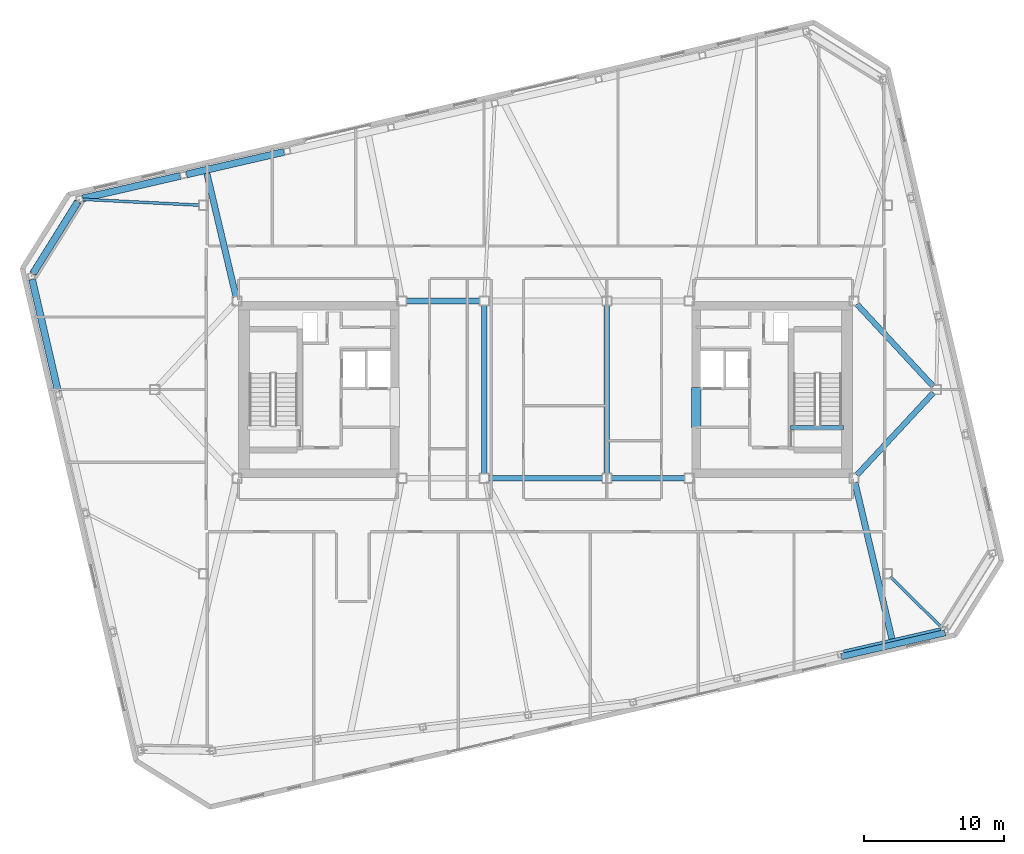
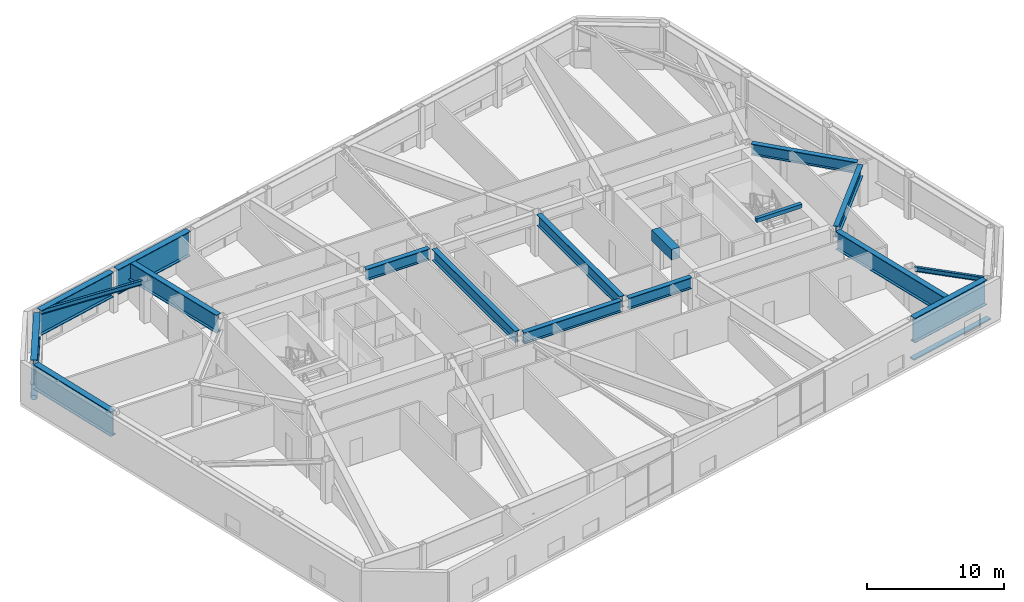
# One storey, part 11 of 23: 18 beams, 2 members.
"""IFC4 building model written with IfcOpenShell, lengths in metres."""

from ifc_helpers import new_model, si_unit, direction, frame, origin, origin_2d, place, context, subcontext, project, spatial, rectangle, hollow_circle, i_section, extrude, material, material_profile, profile_set, type_object, element, save


model = new_model("IFC4")

# Units and contexts
model_context = context("Model", 3, precision=1e-05, world=origin(), true_north=direction((0.0, 1.0)))
body_context = subcontext(model_context, "Body", "Model", "MODEL_VIEW")
ifc_project = project(units=[si_unit("LENGTHUNIT", "METRE"), si_unit("AREAUNIT", "SQUARE_METRE"), si_unit("VOLUMEUNIT", "CUBIC_METRE"), si_unit("PLANEANGLEUNIT", "RADIAN"), si_unit("MASSUNIT", "GRAM", prefix="KILO")], contexts=[model_context])

# Site, building, storey
site_placement = place(None, origin())
site = spatial("IfcSite", under=ifc_project, at=site_placement, CompositionType="ELEMENT")
building_placement = place(site_placement, origin())
building = spatial("IfcBuilding", under=site, at=building_placement, Name="Tavrogorsk Clinical Tower", CompositionType="ELEMENT")
storey_placement = place(building_placement, frame((0.0, 0.0, 329.0)))
storey = spatial("IfcBuildingStorey", under=building, at=storey_placement, Name="L77", CompositionType="ELEMENT", Elevation=329.0)

# Member
ifc_material_1 = material(Name="Anodised aluminium alloy AW-6063", Category="aluminium")
ifc_material_profile_1 = material_profile(ifc_material_1, rectangle(XDim=0.449951171875, YDim=0.1201171875, at=origin_2d()), Name="ALU-SUNSHADE-450x120")
ifc_profile_set_1 = profile_set([ifc_material_profile_1], Name="Anodised aluminium alloy AW-6063")
member_type_1 = type_object("IfcMemberType", Name="ChicagoSunshade_450x120", PredefinedType="USERDEFINED", material=ifc_profile_set_1)
member_1_placement = place(storey_placement, frame((21.1904296875, -19.1376953125, 0.179931640625), z_axis=(0.974372328168, 0.224941250331, 0.0), x_axis=(-0.224941250331, 0.974372328168, 0.0)))
element("IfcMember", 1, at=member_1_placement, inside=storey, type_object=member_type_1, Name="L77 South Aluminium Sunshade S7", ObjectType="SUNSHADE", PredefinedType="USERDEFINED", context=body_context, shape_type="SweptSolid", body=[
    extrude(rectangle(XDim=0.449951171875, YDim=0.1201171875, at=origin_2d()), origin(), (0.0, 0.0, 1.0), 7.63427734375),
])

# Beam
ifc_material_2 = material(Name="Concrete B80", Category="concrete")
ifc_material_profile_2 = material_profile(ifc_material_2, rectangle(XDim=0.699951171875, YDim=0.949951171875, at=origin_2d()), Name="RC-CB-700x950")
ifc_profile_set_2 = profile_set([ifc_material_profile_2], Name="Concrete B80")
beam_type_1 = type_object("IfcBeamType", Name="CouplingBeam_RC700x950", PredefinedType="LINTEL", material=ifc_profile_set_2)
beam_1_placement = place(storey_placement, frame((10.800048828125, -2.75, 3.205078125), z_axis=(0.0, 1.0, 0.0), x_axis=(-1.0, 0.0, 0.0)))
element("IfcBeam", 2, at=beam_1_placement, inside=storey, type_object=beam_type_1, Name="L77 Core East Coupling Beam", PredefinedType="LINTEL", context=body_context, shape_type="SweptSolid", body=[
    extrude(rectangle(XDim=0.699951171875, YDim=0.949951171875, at=origin_2d()), origin(), (0.0, 0.0, 1.0), 2.89990234375),
])

# Member
ifc_material_3 = material(Name="Structural steel S440", Category="steel")
ifc_material_profile_3 = material_profile(ifc_material_3, hollow_circle(Radius=0.25390625, WallThickness=0.02001953125, at=origin_2d()), Name="CHS-508x20")
ifc_profile_set_3 = profile_set([ifc_material_profile_3], Name="Structural steel S440")
member_type_2 = type_object("IfcMemberType", Name="ExoBrace_CHS508", PredefinedType="BRACE", material=ifc_profile_set_3)
member_2_placement = place(storey_placement, frame((-36.71435546875, 8.32275390625, 0.33984375), z_axis=(0.522114674455, 0.835526698637, 0.17114731252), x_axis=(-0.848039134155, 0.529933606164, 0.0)))
element("IfcMember", 3, at=member_2_placement, inside=storey, type_object=member_type_2, Name="L77 Corner Exoskeleton Brace N8-W1", PredefinedType="BRACE", context=body_context, shape_type="SweptSolid", body=[
    extrude(hollow_circle(Radius=0.25390625, WallThickness=0.02001953125, at=origin_2d()), origin(), (0.0, 0.0, 1.0), 6.13671875),
])

# Beams
ifc_material_4 = material(Name="Structural steel S355", Category="steel")
ifc_material_profile_4 = material_profile(ifc_material_4, i_section(OverallWidth=0.199951171875, OverallDepth=0.39990234375, WebThickness=0.010498046875, FlangeThickness=0.01611328125, at=origin_2d()), Name="B-400x200x10.5x16")
ifc_profile_set_4 = profile_set([ifc_material_profile_4], Name="Structural steel S355")
beam_type_2 = type_object("IfcBeamType", Name="FloorBeam_B400", PredefinedType="BEAM", material=ifc_profile_set_4)
beam_2_placement = place(storey_placement, frame((24.720458984375, -13.41796875, 3.47998046875), z_axis=(0.710870207436, -0.703323217433, 0.0), x_axis=(0.703323217433, 0.710870207436, 0.0)))
element("IfcBeam", 4, at=beam_2_placement, inside=storey, type_object=beam_type_2, Name="L77 Radial Floor Beam S8", PredefinedType="BEAM", context=body_context, shape_type="SweptSolid", body=[
    extrude(i_section(OverallWidth=0.199951171875, OverallDepth=0.39990234375, WebThickness=0.010498046875, FlangeThickness=0.01611328125, at=origin_2d()), origin(), (0.0, 0.0, 1.0), 5.208251953125),
])
beam_3_placement = place(storey_placement, frame((-24.8095703125, 13.215576171875, 3.47998046875), z_axis=(-0.998749933549, 0.049985700304, 0.0), x_axis=(-0.049985700304, -0.998749933549, 0.0)))
element("IfcBeam", 5, at=beam_3_placement, inside=storey, type_object=beam_type_2, Name="L77 Radial Floor Beam N8", PredefinedType="BEAM", context=body_context, shape_type="SweptSolid", body=[
    extrude(i_section(OverallWidth=0.199951171875, OverallDepth=0.39990234375, WebThickness=0.010498046875, FlangeThickness=0.01611328125, at=origin_2d()), origin(), (0.0, 0.0, 1.0), 8.35693359375),
])
ifc_material_5 = material(Name="Concrete B60", Category="concrete")
ifc_material_profile_5 = material_profile(ifc_material_5, rectangle(XDim=0.300048828125, YDim=0.35009765625, at=origin_2d()), Name="RC-SHB-300x350")
ifc_profile_set_5 = profile_set([ifc_material_profile_5], Name="Concrete B60")
beam_type_3 = type_object("IfcBeamType", Name="StairHeaderBeam_RC300x350", PredefinedType="BEAM", material=ifc_profile_set_5)
beam_4_placement = place(storey_placement, frame((17.550048828125, -2.719970703125, 3.824951171875), z_axis=(1.0, 0.0, 0.0), x_axis=(0.0, 1.0, 0.0)))
element("IfcBeam", 6, at=beam_4_placement, inside=storey, type_object=beam_type_3, Name="L78 ST-E Landing Header Beam", PredefinedType="BEAM", context=body_context, shape_type="SweptSolid", body=[
    extrude(rectangle(XDim=0.300048828125, YDim=0.35009765625, at=origin_2d()), origin(), (0.0, 0.0, 1.0), 3.800048828125),
])
ifc_material_6 = material(Name="Structural steel S440", Category="steel")
ifc_material_profile_6 = material_profile(ifc_material_6, i_section(OverallWidth=0.39990234375, OverallDepth=1.0, WebThickness=0.028076171875, FlangeThickness=0.044921875, at=origin_2d()), Name="DK-1000x400x28x45")
ifc_profile_set_6 = profile_set([ifc_material_profile_6], Name="Structural steel S440")
beam_type_4 = type_object("IfcBeamType", Name="TransferGirder_DK1000", PredefinedType="USERDEFINED", material=ifc_profile_set_6)
beam_5_placement = place(storey_placement, frame((-9.989990234375, 6.35009765625, 3.179931640625), z_axis=(1.0, 0.0, 0.0), x_axis=(0.0, 1.0, 0.0)))
element("IfcBeam", 7, at=beam_5_placement, inside=storey, type_object=beam_type_4, Name="L77 Primary Spine Girder MG-02", ObjectType="GIRDER", PredefinedType="USERDEFINED", context=body_context, shape_type="SweptSolid", body=[
    extrude(i_section(OverallWidth=0.39990234375, OverallDepth=1.0, WebThickness=0.028076171875, FlangeThickness=0.044921875, at=origin_2d()), origin(), (0.0, 0.0, 1.0), 5.280029296875),
])
beam_6_placement = place(storey_placement, frame((-4.090087890625, -6.35009765625, 3.179931640625), z_axis=(1.0, 0.0, 0.0), x_axis=(0.0, 1.0, 0.0)))
element("IfcBeam", 8, at=beam_6_placement, inside=storey, type_object=beam_type_4, Name="L77 Primary Spine Girder MG-03", ObjectType="GIRDER", PredefinedType="USERDEFINED", context=body_context, shape_type="SweptSolid", body=[
    extrude(i_section(OverallWidth=0.39990234375, OverallDepth=1.0, WebThickness=0.028076171875, FlangeThickness=0.044921875, at=origin_2d()), origin(), (0.0, 0.0, 1.0), 8.18017578125),
])
beam_7_placement = place(storey_placement, frame((4.7099609375, -6.35009765625, 3.179931640625), z_axis=(1.0, 0.0, 0.0), x_axis=(0.0, 1.0, 0.0)))
element("IfcBeam", 9, at=beam_7_placement, inside=storey, type_object=beam_type_4, Name="L77 Primary Spine Girder MG-05", ObjectType="GIRDER", PredefinedType="USERDEFINED", context=body_context, shape_type="SweptSolid", body=[
    extrude(i_section(OverallWidth=0.39990234375, OverallDepth=1.0, WebThickness=0.028076171875, FlangeThickness=0.044921875, at=origin_2d()), origin(), (0.0, 0.0, 1.0), 5.280029296875),
])
for number, where, z_axis, x_axis, name in (
    (10, (-4.39990234375, -6.0400390625, 3.179931640625), (0.0, 1.0, 0.0), (-1.0, 0.0, 0.0), "L77 Primary Spine Girder MG-07"),
    (11, (4.39990234375, -6.0400390625, 3.179931640625), (0.0, 1.0, 0.0), (-1.0, 0.0, 0.0), "L77 Primary Spine Girder MG-08"),
):
    element("IfcBeam", number, at=place(storey_placement, frame(where, z_axis=z_axis, x_axis=x_axis)), inside=storey, type_object=beam_type_4, Name=name, ObjectType="GIRDER", PredefinedType="USERDEFINED", context=body_context, shape_type="SweptSolid", body=[
        extrude(i_section(OverallWidth=0.39990234375, OverallDepth=1.0, WebThickness=0.028076171875, FlangeThickness=0.044921875, at=origin_2d()), origin(), (0.0, 0.0, 1.0), 12.080078125),
    ])
for number, where, z_axis, x_axis, name in (
    (12, (27.7890625, -0.22705078125, 3.179931640625), (-0.680677963005, -0.732582767119, 0.0), (0.732582767119, -0.680677963005, 0.0), "L77 Spine Link Girder OPG-7"),
    (13, (27.7890625, 0.22705078125, 3.179931640625), (-0.680677963005, 0.732582767119, 0.0), (-0.732582767119, -0.680677963005, 0.0), "L77 Spine Link Girder OPG-8"),
):
    element("IfcBeam", number, at=place(storey_placement, frame(where, z_axis=z_axis, x_axis=x_axis)), inside=storey, type_object=beam_type_4, Name=name, ObjectType="GIRDER", PredefinedType="USERDEFINED", context=body_context, shape_type="SweptSolid", body=[
        extrude(i_section(OverallWidth=0.39990234375, OverallDepth=1.0, WebThickness=0.028076171875, FlangeThickness=0.044921875, at=origin_2d()), origin(), (0.0, 0.0, 1.0), 8.0478515625),
    ])
ifc_material_7 = material(Name="Structural steel S440", Category="steel")
ifc_material_profile_7 = material_profile(ifc_material_7, i_section(OverallWidth=0.449951171875, OverallDepth=1.60009765625, WebThickness=0.031982421875, FlangeThickness=0.050048828125, at=origin_2d()), Name="DK-1600x450x32x50")
ifc_profile_set_7 = profile_set([ifc_material_profile_7], Name="Structural steel S440")
beam_type_5 = type_object("IfcBeamType", Name="TransferGirder_DK1600", PredefinedType="USERDEFINED", material=ifc_profile_set_7)
beam_8_placement = place(storey_placement, frame((22.17138671875, -6.651611328125, 2.8798828125), z_axis=(0.23020267784, -0.973142706449, 0.0), x_axis=(0.973142706449, 0.23020267784, 0.0)))
element("IfcBeam", 14, at=beam_8_placement, inside=storey, type_object=beam_type_5, Name="L78 Crown Base Transfer Girder 02", ObjectType="GIRDER", PredefinedType="USERDEFINED", context=body_context, shape_type="SweptSolid", body=[
    extrude(i_section(OverallWidth=0.449951171875, OverallDepth=1.60009765625, WebThickness=0.031982421875, FlangeThickness=0.050048828125, at=origin_2d()), origin(), (0.0, 0.0, 1.0), 11.765625),
])
beam_9_placement = place(storey_placement, frame((-22.17138671875, 6.651611328125, 2.8798828125), z_axis=(-0.230193388676, 0.973144903809, 0.0), x_axis=(-0.973144903809, -0.230193388676, 0.0)))
element("IfcBeam", 15, at=beam_9_placement, inside=storey, type_object=beam_type_5, Name="L78 Crown Base Transfer Girder 04", ObjectType="GIRDER", PredefinedType="USERDEFINED", context=body_context, shape_type="SweptSolid", body=[
    extrude(i_section(OverallWidth=0.449951171875, OverallDepth=1.60009765625, WebThickness=0.031982421875, FlangeThickness=0.050048828125, at=origin_2d()), origin(), (0.0, 0.0, 1.0), 9.33740234375),
])
ifc_material_8 = material(Name="Structural steel S440", Category="steel")
ifc_material_profile_8 = material_profile(ifc_material_8, i_section(OverallWidth=0.5, OverallDepth=2.199951171875, WebThickness=0.035888671875, FlangeThickness=0.054931640625, at=origin_2d()), Name="DK-2200x500x36x55")
ifc_profile_set_8 = profile_set([ifc_material_profile_8], Name="Structural steel S440")
beam_type_6 = type_object("IfcBeamType", Name="TransferGirder_DK2200", PredefinedType="USERDEFINED", material=ifc_profile_set_8)
beam_10_placement = place(storey_placement, frame((21.376953125, -18.909912109375, 2.580078125), z_axis=(0.974369378592, 0.224954026551, 0.0), x_axis=(-0.224954026551, 0.974369378592, 0.0)))
element("IfcBeam", 16, at=beam_10_placement, inside=storey, type_object=beam_type_6, Name="L77 Perimeter Spandrel S7-S8", ObjectType="GIRDER", PredefinedType="USERDEFINED", context=body_context, shape_type="SweptSolid", body=[
    extrude(i_section(OverallWidth=0.5, OverallDepth=2.199951171875, WebThickness=0.035888671875, FlangeThickness=0.054931640625, at=origin_2d()), origin(), (0.0, 0.0, 1.0), 7.16845703125),
])
beam_11_placement = place(storey_placement, frame((-18.73828125, 17.027099609375, 2.580078125), z_axis=(-0.97437684326, -0.224921691527, 0.0), x_axis=(0.224921691527, -0.97437684326, 0.0)))
element("IfcBeam", 17, at=beam_11_placement, inside=storey, type_object=beam_type_6, Name="L77 Perimeter Spandrel N6-N7", ObjectType="GIRDER", PredefinedType="USERDEFINED", context=body_context, shape_type="SweptSolid", body=[
    extrude(i_section(OverallWidth=0.5, OverallDepth=2.199951171875, WebThickness=0.035888671875, FlangeThickness=0.054931640625, at=origin_2d()), origin(), (0.0, 0.0, 1.0), 7.168212890625),
])
beam_12_placement = place(storey_placement, frame((-26.177001953125, 15.309814453125, 2.580078125), z_axis=(-0.974369378592, -0.224954026551, 0.0), x_axis=(0.224954026551, -0.974369378592, 0.0)))
element("IfcBeam", 18, at=beam_12_placement, inside=storey, type_object=beam_type_6, Name="L77 Perimeter Spandrel N7-N8", ObjectType="GIRDER", PredefinedType="USERDEFINED", context=body_context, shape_type="SweptSolid", body=[
    extrude(i_section(OverallWidth=0.5, OverallDepth=2.199951171875, WebThickness=0.035888671875, FlangeThickness=0.054931640625, at=origin_2d()), origin(), (0.0, 0.0, 1.0), 7.16845703125),
])
beam_13_placement = place(storey_placement, frame((-33.511962890625, 13.447265625, 2.580078125), z_axis=(-0.529933531413, -0.848039180866, 0.0), x_axis=(0.848039180866, -0.529933531413, 0.0)))
element("IfcBeam", 19, at=beam_13_placement, inside=storey, type_object=beam_type_6, Name="L77 Perimeter Spandrel N8-W1", ObjectType="GIRDER", PredefinedType="USERDEFINED", context=body_context, shape_type="SweptSolid", body=[
    extrude(i_section(OverallWidth=0.5, OverallDepth=2.199951171875, WebThickness=0.035888671875, FlangeThickness=0.054931640625, at=origin_2d()), origin(), (0.0, 0.0, 1.0), 6.039306640625),
])
beam_14_placement = place(storey_placement, frame((-36.783447265625, 7.901123046875, 2.580078125), z_axis=(0.224950345141, -0.974370228517, 0.0), x_axis=(0.974370228517, 0.224950345141, 0.0)))
element("IfcBeam", 20, at=beam_14_placement, inside=storey, type_object=beam_type_6, Name="L77 Perimeter Spandrel W1-W2", ObjectType="GIRDER", PredefinedType="USERDEFINED", context=body_context, shape_type="SweptSolid", body=[
    extrude(i_section(OverallWidth=0.5, OverallDepth=2.199951171875, WebThickness=0.035888671875, FlangeThickness=0.054931640625, at=origin_2d()), origin(), (0.0, 0.0, 1.0), 8.243896484375),
])

save(model, "model.ifc")
